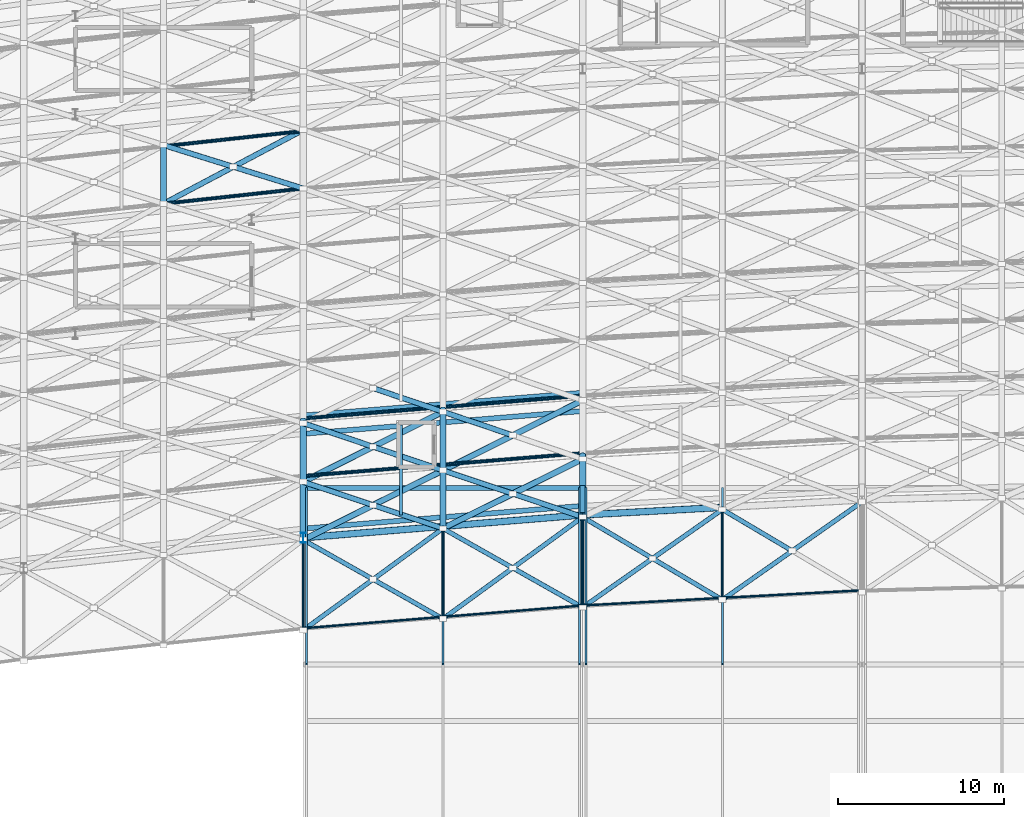
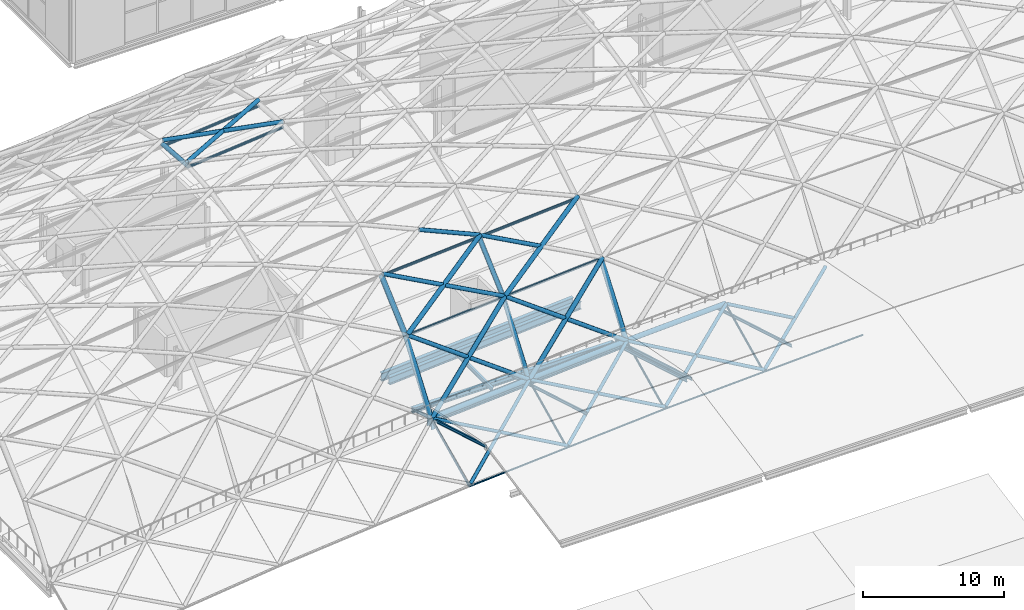
# One storey, part 14 of 100: 56 members, 5 beams.
"""IFC4 building model written with IfcOpenShell, lengths in metres."""

from ifc_helpers import new_model, si_unit, direction, frame, origin, origin_2d, place, context, subcontext, project, spatial, hollow_circle, i_section, extrude, material, material_profile, profile_set, type_object, element, save


model = new_model("IFC4")

# Units and contexts
model_context = context("Model", 3, precision=1e-05, world=origin(), true_north=direction((0.0, 1.0)))
body_context = subcontext(model_context, "Body", "Model", "MODEL_VIEW")
ifc_project = project(units=[si_unit("LENGTHUNIT", "METRE"), si_unit("AREAUNIT", "SQUARE_METRE"), si_unit("VOLUMEUNIT", "CUBIC_METRE"), si_unit("PLANEANGLEUNIT", "RADIAN"), si_unit("MASSUNIT", "GRAM", prefix="KILO")], contexts=[model_context])

# Site, building, storey
site_placement = place(None, origin())
site = spatial("IfcSite", under=ifc_project, at=site_placement, CompositionType="ELEMENT")
building_placement = place(site_placement, origin())
building = spatial("IfcBuilding", under=site, at=building_placement, Name="Kimbaza Rail Terminus", CompositionType="ELEMENT")
storey_placement = place(building_placement, frame((0.0, 0.0, 10.800048828125)))
storey = spatial("IfcBuildingStorey", under=building, at=storey_placement, Name="L02", CompositionType="ELEMENT", Elevation=10.800048828125)

# Beams
ifc_material_1 = material(Name="Steel S355", Category="steel")
ifc_material_profile_1 = material_profile(ifc_material_1, i_section(OverallWidth=0.300048828125, OverallDepth=0.43994140625, WebThickness=0.011474609375, FlangeThickness=0.02099609375, FilletRadius=0.027099609375, at=origin_2d()), Name="HEA 450")
ifc_profile_set_1 = profile_set([ifc_material_profile_1], Name="Steel S355")
beam_type_1 = type_object("IfcBeamType", Name="STR-BM-HEA450", PredefinedType="SPANDREL", material=ifc_profile_set_1)
beam_1_placement = place(storey_placement, frame((55.345947265625, 55.0, -1.179931640625), z_axis=(1.0, 0.0, 0.0), x_axis=(0.0, 1.0, 0.0)))
element("IfcBeam", 1, at=beam_1_placement, inside=storey, type_object=beam_type_1, Name="Beam BM-SKYEDGE-55-0", PredefinedType="SPANDREL", context=body_context, shape_type="SweptSolid", body=[
    extrude(i_section(OverallWidth=0.300048828125, OverallDepth=0.43994140625, WebThickness=0.011474609375, FlangeThickness=0.02099609375, FilletRadius=0.027099609375, at=origin_2d()), origin(), (0.0, 0.0, 1.0), 16.508056640625),
])
ifc_material_2 = material(Name="Steel S355", Category="steel")
ifc_material_profile_2 = material_profile(ifc_material_2, i_section(OverallWidth=0.300048828125, OverallDepth=0.64990234375, WebThickness=0.01611328125, FlangeThickness=0.031005859375, FilletRadius=0.027099609375, at=origin_2d()), Name="HEB 650")
ifc_profile_set_2 = profile_set([ifc_material_profile_2], Name="Steel S355")
beam_type_2 = type_object("IfcBeamType", Name="STR-BM-HEB650", PredefinedType="USERDEFINED", material=ifc_profile_set_2)
for number, where, z_axis, x_axis, name in (
    (2, (55.344482421875, 52.567138671875, -0.5849609375), (0.996689077675, 0.081307333267, 0.0), (-0.081307333267, 0.996689077675, 0.0), "Viaduct Chorded Girder P1 Bay 03"),
    (3, (55.344482421875, 58.26708984375, -0.5849609375), (0.996689077675, 0.081307333267, 0.0), (-0.081307333267, 0.996689077675, 0.0), "Viaduct Chorded Girder P1 Bay 03"),
):
    element("IfcBeam", number, at=place(storey_placement, frame(where, z_axis=z_axis, x_axis=x_axis)), inside=storey, type_object=beam_type_2, Name=name, ObjectType="GIRDER", PredefinedType="USERDEFINED", context=body_context, shape_type="SweptSolid", body=[
        extrude(i_section(OverallWidth=0.300048828125, OverallDepth=0.64990234375, WebThickness=0.01611328125, FlangeThickness=0.031005859375, FilletRadius=0.027099609375, at=origin_2d()), origin(), (0.0, 0.0, 1.0), 16.56591796875),
    ])
ifc_material_3 = material(Name="Steel S355", Category="steel")
ifc_material_profile_3 = material_profile(ifc_material_3, i_section(OverallWidth=0.300048828125, OverallDepth=0.699951171875, WebThickness=0.01708984375, FlangeThickness=0.031982421875, FilletRadius=0.027099609375, at=origin_2d()), Name="HEB 700")
ifc_profile_set_3 = profile_set([ifc_material_profile_3], Name="Steel S355")
beam_type_3 = type_object("IfcBeamType", Name="STR-BM-HEB700", PredefinedType="USERDEFINED", material=ifc_profile_set_3)
beam_2_placement = place(storey_placement, frame((55.344482421875, 59.3671875, -0.920166015625), z_axis=(0.996689077675, 0.081307333267, 0.0), x_axis=(-0.081307333267, 0.996689077675, 0.0)))
element("IfcBeam", 4, at=beam_2_placement, inside=storey, type_object=beam_type_3, Name="Viaduct Chorded Girder TR12 Bay 03", ObjectType="GIRDER", PredefinedType="USERDEFINED", context=body_context, shape_type="SweptSolid", body=[
    extrude(i_section(OverallWidth=0.300048828125, OverallDepth=0.699951171875, WebThickness=0.01708984375, FlangeThickness=0.031982421875, FilletRadius=0.027099609375, at=origin_2d()), origin(), (0.0, 0.0, 1.0), 16.56591796875),
])
ifc_material_4 = material(Name="Steel S355", Category="steel")
ifc_material_profile_4 = material_profile(ifc_material_4, i_section(OverallWidth=0.169921875, OverallDepth=0.360107421875, WebThickness=0.008056640625, FlangeThickness=0.0126953125, FilletRadius=0.01806640625, at=origin_2d()), Name="IPE 360")
ifc_profile_set_4 = profile_set([ifc_material_profile_4], Name="Steel S355")
beam_type_4 = type_object("IfcBeamType", Name="STR-BM-IPE360", PredefinedType="JOIST", material=ifc_profile_set_4)
beam_3_placement = place(storey_placement, frame((61.080078125, 53.385498046875, -0.43994140625), z_axis=(0.0, 1.0, 0.0), x_axis=(-1.0, 0.0, 0.0)))
element("IfcBeam", 5, at=beam_3_placement, inside=storey, type_object=beam_type_4, Name="Viaduct Diaphragm P1 Bay 03", PredefinedType="JOIST", context=body_context, shape_type="SweptSolid", body=[
    extrude(i_section(OverallWidth=0.169921875, OverallDepth=0.360107421875, WebThickness=0.008056640625, FlangeThickness=0.0126953125, FilletRadius=0.01806640625, at=origin_2d()), origin(), (0.0, 0.0, 1.0), 5.41015625),
])

# Members
ifc_material_5 = material(Name="White painted steel S355", Category="steel")
ifc_material_profile_5 = material_profile(ifc_material_5, hollow_circle(Radius=0.06982421875, WallThickness=0.00634765625, at=origin_2d()), Name="CHS 139.7x6.3")
ifc_profile_set_5 = profile_set([ifc_material_profile_5], Name="White painted steel S355")
member_type_1 = type_object("IfcMemberType", Name="STR-MB-CHS139", PredefinedType="COLLAR", material=ifc_profile_set_5)
member_1_placement = place(storey_placement, frame((55.199951171875, 46.563232421875, -2.62744140625), z_axis=(0.996688689454, 0.081312092054, 0.0), x_axis=(-0.081312092054, 0.996688689454, 0.0)))
element("IfcMember", 6, at=member_1_placement, inside=storey, type_object=member_type_1, Name="Vault lattice longitudinal purlin VR-04-VA00", PredefinedType="COLLAR", context=body_context, shape_type="SweptSolid", body=[
    extrude(hollow_circle(Radius=0.06982421875, WallThickness=0.00634765625, at=origin_2d()), origin(), (0.0, 0.0, 1.0), 8.427978515625),
])
member_2_placement = place(storey_placement, frame((63.60009765625, 47.24853515625, -2.62744140625), z_axis=(0.996690845265, 0.081285662728, 0.0), x_axis=(-0.081285662728, 0.996690845265, 0.0)))
element("IfcMember", 7, at=member_2_placement, inside=storey, type_object=member_type_1, Name="Vault lattice longitudinal purlin VR-05-VA00", PredefinedType="COLLAR", context=body_context, shape_type="SweptSolid", body=[
    extrude(hollow_circle(Radius=0.06982421875, WallThickness=0.00634765625, at=origin_2d()), origin(), (0.0, 0.0, 1.0), 8.427734375),
])
member_3_placement = place(storey_placement, frame((72.0, 47.93359375, -2.62744140625), z_axis=(0.998529393298, 0.054213012459, 0.0), x_axis=(-0.054213012459, 0.998529393298, 0.0)))
element("IfcMember", 8, at=member_3_placement, inside=storey, type_object=member_type_1, Name="Vault lattice longitudinal purlin VR-06-VA00", PredefinedType="COLLAR", context=body_context, shape_type="SweptSolid", body=[
    extrude(hollow_circle(Radius=0.06982421875, WallThickness=0.00634765625, at=origin_2d()), origin(), (0.0, 0.0, 1.0), 8.412353515625),
])
member_4_placement = place(storey_placement, frame((80.39990234375, 48.3896484375, -2.62744140625), z_axis=(0.998531049137, 0.054182505558, 0.0), x_axis=(-0.054182505558, 0.998531049137, 0.0)))
element("IfcMember", 9, at=member_4_placement, inside=storey, type_object=member_type_1, Name="Vault lattice longitudinal purlin VR-07-VA00", PredefinedType="COLLAR", context=body_context, shape_type="SweptSolid", body=[
    extrude(hollow_circle(Radius=0.06982421875, WallThickness=0.00634765625, at=origin_2d()), origin(), (0.0, 0.0, 1.0), 8.41259765625),
])
ifc_material_6 = material(Name="White painted steel S355", Category="steel")
ifc_material_profile_6 = material_profile(ifc_material_6, hollow_circle(Radius=0.084228515625, WallThickness=0.00634765625, at=origin_2d()), Name="CHS 168.3x6.3")
ifc_profile_set_6 = profile_set([ifc_material_profile_6], Name="White painted steel S355")
member_type_2 = type_object("IfcMemberType", Name="STR-MB-CHS168", PredefinedType="RAFTER", material=ifc_profile_set_6)
for number, where, z_axis, x_axis, name in (
    (10, (55.199951171875, 46.554931640625, -2.609375), (0.0, 0.901963905621, 0.431811432174), (-1.0, 0.0, 0.0), "Vault lattice arch chord VR-04 seg 1"),
    (11, (63.60009765625, 47.240234375, -2.609375), (0.0, 0.901963905621, 0.431811432174), (-1.0, 0.0, 0.0), "Vault lattice arch chord VR-05 seg 1"),
    (12, (72.0, 47.92529296875, -2.609375), (0.0, 0.901963905621, 0.431811432174), (-1.0, 0.0, 0.0), "Vault lattice arch chord VR-06 seg 1"),
    (13, (80.39990234375, 48.38134765625, -2.609375), (0.0, 0.901963905621, 0.431811432174), (-1.0, 0.0, 0.0), "Vault lattice arch chord VR-07 seg 1"),
):
    element("IfcMember", number, at=place(storey_placement, frame(where, z_axis=z_axis, x_axis=x_axis)), inside=storey, type_object=member_type_2, Name=name, PredefinedType="RAFTER", context=body_context, shape_type="SweptSolid", body=[
        extrude(hollow_circle(Radius=0.084228515625, WallThickness=0.00634765625, at=origin_2d()), origin(), (0.0, 0.0, 1.0), 6.04296875),
    ])
ifc_material_7 = material(Name="White painted steel S355", Category="steel")
ifc_material_profile_7 = material_profile(ifc_material_7, hollow_circle(Radius=0.109619140625, WallThickness=0.008056640625, at=origin_2d()), Name="CHS 219.1x8")
ifc_profile_set_7 = profile_set([ifc_material_profile_7], Name="White painted steel S355")
member_type_3 = type_object("IfcMemberType", Name="STR-MB-CHS219", PredefinedType="PURLIN", material=ifc_profile_set_7)
for number, where, z_axis, x_axis, name in (
    (14, (46.800048828125, 72.089599609375, 12.510009765625), (0.99410959352, 0.108379500241, 0.0), (-0.108379500241, 0.99410959352, 0.0), "Vault lattice longitudinal purlin VR-03-VA07"),
    (15, (46.800048828125, 75.546630859375, 12.25244140625), (0.99410959352, 0.108379500241, 0.0), (-0.108379500241, 0.99410959352, 0.0), "Vault lattice longitudinal purlin VR-03-VA08"),
):
    element("IfcMember", number, at=place(storey_placement, frame(where, z_axis=z_axis, x_axis=x_axis)), inside=storey, type_object=member_type_3, Name=name, PredefinedType="PURLIN", context=body_context, shape_type="SweptSolid", body=[
        extrude(hollow_circle(Radius=0.109619140625, WallThickness=0.008056640625, at=origin_2d()), origin(), (0.0, 0.0, 1.0), 8.44970703125),
    ])
for number, where, z_axis, x_axis, name in (
    (16, (55.199951171875, 55.72021484375, 4.85205078125), (0.996688689454, 0.081312092054, 0.0), (-0.081312092054, 0.996688689454, 0.0), "Vault lattice longitudinal purlin VR-04-VA02"),
    (17, (55.199951171875, 59.17724609375, 7.9716796875), (0.996688689454, 0.081312092054, 0.0), (-0.081312092054, 0.996688689454, 0.0), "Vault lattice longitudinal purlin VR-04-VA03"),
):
    element("IfcMember", number, at=place(storey_placement, frame(where, z_axis=z_axis, x_axis=x_axis)), inside=storey, type_object=member_type_3, Name=name, PredefinedType="PURLIN", context=body_context, shape_type="SweptSolid", body=[
        extrude(hollow_circle(Radius=0.109619140625, WallThickness=0.008056640625, at=origin_2d()), origin(), (0.0, 0.0, 1.0), 8.427978515625),
    ])
for number, where, z_axis, x_axis, name in (
    (18, (63.60009765625, 56.405517578125, 4.85205078125), (0.996690845265, 0.081285662728, 0.0), (-0.081285662728, 0.996690845265, 0.0), "Vault lattice longitudinal purlin VR-05-VA02"),
    (19, (63.60009765625, 59.862548828125, 7.9716796875), (0.996690845265, 0.081285662728, 0.0), (-0.081285662728, 0.996690845265, 0.0), "Vault lattice longitudinal purlin VR-05-VA03"),
):
    element("IfcMember", number, at=place(storey_placement, frame(where, z_axis=z_axis, x_axis=x_axis)), inside=storey, type_object=member_type_3, Name=name, PredefinedType="PURLIN", context=body_context, shape_type="SweptSolid", body=[
        extrude(hollow_circle(Radius=0.109619140625, WallThickness=0.008056640625, at=origin_2d()), origin(), (0.0, 0.0, 1.0), 8.427734375),
    ])
ifc_material_8 = material(Name="White painted steel S355", Category="steel")
ifc_material_profile_8 = material_profile(ifc_material_8, hollow_circle(Radius=0.136474609375, WallThickness=0.010009765625, at=origin_2d()), Name="CHS 273x10")
ifc_profile_set_8 = profile_set([ifc_material_profile_8], Name="White painted steel S355")
member_type_4 = type_object("IfcMemberType", Name="STR-MB-CHS273", PredefinedType="STRUT", material=ifc_profile_set_8)
member_5_placement = place(storey_placement, frame((55.199951171875, 46.447509765625, -2.37255859375), z_axis=(0.786959124757, 0.573219681596, 0.228286076211), x_axis=(-0.588766594672, 0.808303097234, 0.0)))
element("IfcMember", 20, at=member_5_placement, inside=storey, type_object=member_type_4, Name="Vault lattice diagonal A VR-04-VA00", PredefinedType="STRUT", context=body_context, shape_type="SweptSolid", body=[
    extrude(hollow_circle(Radius=0.136474609375, WallThickness=0.010009765625, at=origin_2d()), origin(), (0.0, 0.0, 1.0), 10.674072265625),
])
for number, where, z_axis, x_axis, name in (
    (21, (63.60009765625, 47.1328125, -2.37255859375), (-0.844070013409, 0.477083051057, 0.244821516328), (-0.492057256668, -0.87056283872, 0.0), "Vault lattice diagonal B1 VR-04-VA00"),
    (22, (59.39990234375, 49.5068359375, -1.154296875), (-0.844026006816, 0.477134971591, 0.244872045574), (-0.492117283505, -0.870528907777, 0.0), "Vault lattice diagonal B2 VR-04-VA00"),
):
    element("IfcMember", number, at=place(storey_placement, frame(where, z_axis=z_axis, x_axis=x_axis)), inside=storey, type_object=member_type_4, Name=name, PredefinedType="STRUT", context=body_context, shape_type="SweptSolid", body=[
        extrude(hollow_circle(Radius=0.136474609375, WallThickness=0.010009765625, at=origin_2d()), origin(), (0.0, 0.0, 1.0), 4.97607421875),
    ])
member_6_placement = place(storey_placement, frame((63.60009765625, 47.1328125, -2.37255859375), z_axis=(0.786960735087, 0.573214642272, 0.228293178425), x_axis=(-0.588762425753, 0.808306133851, 0.0)))
element("IfcMember", 23, at=member_6_placement, inside=storey, type_object=member_type_4, Name="Vault lattice diagonal A VR-05-VA00", PredefinedType="STRUT", context=body_context, shape_type="SweptSolid", body=[
    extrude(hollow_circle(Radius=0.136474609375, WallThickness=0.010009765625, at=origin_2d()), origin(), (0.0, 0.0, 1.0), 10.673828125),
])
for number, where, z_axis, x_axis, name in (
    (24, (72.0, 47.81787109375, -2.37255859375), (-0.844036146186, 0.477140703462, 0.244825923936), (-0.492117283505, -0.870528907777, 0.0), "Vault lattice diagonal B1 VR-05-VA00"),
    (25, (67.800048828125, 50.192138671875, -1.154296875), (-0.844045764754, 0.477097077049, 0.244877777823), (-0.492078933835, -0.870550586052, 0.0), "Vault lattice diagonal B2 VR-05-VA00"),
):
    element("IfcMember", number, at=place(storey_placement, frame(where, z_axis=z_axis, x_axis=x_axis)), inside=storey, type_object=member_type_4, Name=name, PredefinedType="STRUT", context=body_context, shape_type="SweptSolid", body=[
        extrude(hollow_circle(Radius=0.136474609375, WallThickness=0.010009765625, at=origin_2d()), origin(), (0.0, 0.0, 1.0), 4.97607421875),
    ])
member_7_placement = place(storey_placement, frame((72.0, 47.81787109375, -2.37255859375), z_axis=(0.796633205743, 0.558541615478, 0.231099111391), x_axis=(-0.574081889552, 0.818797889646, 0.0)))
element("IfcMember", 26, at=member_7_placement, inside=storey, type_object=member_type_4, Name="Vault lattice diagonal A VR-06-VA00", PredefinedType="STRUT", context=body_context, shape_type="SweptSolid", body=[
    extrude(hollow_circle(Radius=0.136474609375, WallThickness=0.010009765625, at=origin_2d()), origin(), (0.0, 0.0, 1.0), 10.544189453125),
])
member_8_placement = place(storey_placement, frame((80.39990234375, 48.27392578125, -2.37255859375), z_axis=(-0.834702857334, 0.494620759615, 0.2421186571), x_axis=(-0.509788682269, -0.860299656765, 0.0)))
element("IfcMember", 27, at=member_8_placement, inside=storey, type_object=member_type_4, Name="Vault lattice diagonal B1 VR-06-VA00", PredefinedType="STRUT", context=body_context, shape_type="SweptSolid", body=[
    extrude(hollow_circle(Radius=0.136474609375, WallThickness=0.010009765625, at=origin_2d()), origin(), (0.0, 0.0, 1.0), 5.03173828125),
])
member_9_placement = place(storey_placement, frame((76.199951171875, 50.7626953125, -1.154296875), z_axis=(-0.834713082, 0.494578297089, 0.242170144292), x_axis=(-0.50975166864, -0.860321588895, 0.0)))
element("IfcMember", 28, at=member_9_placement, inside=storey, type_object=member_type_4, Name="Vault lattice diagonal B2 VR-06-VA00", PredefinedType="STRUT", context=body_context, shape_type="SweptSolid", body=[
    extrude(hollow_circle(Radius=0.136474609375, WallThickness=0.010009765625, at=origin_2d()), origin(), (0.0, 0.0, 1.0), 5.031494140625),
])
member_10_placement = place(storey_placement, frame((80.39990234375, 48.27392578125, -2.37255859375), z_axis=(0.796641665379, 0.55853131322, 0.231094848785), x_axis=(-0.574070703246, 0.818805732561, 0.0)))
element("IfcMember", 29, at=member_10_placement, inside=storey, type_object=member_type_4, Name="Vault lattice diagonal A VR-07-VA00", PredefinedType="STRUT", context=body_context, shape_type="SweptSolid", body=[
    extrude(hollow_circle(Radius=0.136474609375, WallThickness=0.010009765625, at=origin_2d()), origin(), (0.0, 0.0, 1.0), 10.54443359375),
])
member_11_placement = place(storey_placement, frame((84.60009765625, 51.218505859375, -1.154296875), z_axis=(-0.834707765293, 0.494594917426, 0.242154525493), x_axis=(-0.50976675068, -0.860312652413, 0.0)))
element("IfcMember", 30, at=member_11_placement, inside=storey, type_object=member_type_4, Name="Vault lattice diagonal B2 VR-07-VA00", PredefinedType="STRUT", context=body_context, shape_type="SweptSolid", body=[
    extrude(hollow_circle(Radius=0.136474609375, WallThickness=0.010009765625, at=origin_2d()), origin(), (0.0, 0.0, 1.0), 5.031982421875),
])
ifc_material_9 = material(Name="White painted steel S355", Category="steel")
ifc_material_profile_9 = material_profile(ifc_material_9, hollow_circle(Radius=0.161865234375, WallThickness=0.010009765625, at=origin_2d()), Name="CHS 323.9x10")
ifc_profile_set_9 = profile_set([ifc_material_profile_9], Name="White painted steel S355")
member_type_5 = type_object("IfcMemberType", Name="STR-MB-CHS323", PredefinedType="STRUT", material=ifc_profile_set_9)
member_12_placement = place(storey_placement, frame((46.800048828125, 72.089599609375, 12.97998046875), z_axis=(0.883651460207, 0.467329011507, -0.02763497562), x_axis=(-0.467507561467, 0.883989072314, 0.0)))
element("IfcMember", 31, at=member_12_placement, inside=storey, type_object=member_type_5, Name="Vault lattice diagonal A VR-03-VA07", PredefinedType="STRUT", context=body_context, shape_type="SweptSolid", body=[
    extrude(hollow_circle(Radius=0.161865234375, WallThickness=0.010009765625, at=origin_2d()), origin(), (0.0, 0.0, 1.0), 9.505859375),
])
for number, where, z_axis, x_axis, name in (
    (32, (55.199951171875, 73.00537109375, 12.97998046875), (-0.954510612477, 0.296678965582, -0.029850997472), (-0.296811236638, -0.95493617054, 0.0), "Vault lattice diagonal B1 VR-03-VA07"),
    (33, (51.0, 74.310791015625, 12.8486328125), (-0.954510612477, 0.296678965582, -0.029850997472), (-0.296811236638, -0.95493617054, 0.0), "Vault lattice diagonal B2 VR-03-VA07"),
):
    element("IfcMember", number, at=place(storey_placement, frame(where, z_axis=z_axis, x_axis=x_axis)), inside=storey, type_object=member_type_5, Name=name, PredefinedType="STRUT", context=body_context, shape_type="SweptSolid", body=[
        extrude(hollow_circle(Radius=0.161865234375, WallThickness=0.010009765625, at=origin_2d()), origin(), (0.0, 0.0, 1.0), 4.400146484375),
    ])
member_13_placement = place(storey_placement, frame((63.60009765625, 52.566162109375, 0.064208984375), z_axis=(-0.821804484211, 0.27452396947, 0.499273452045), x_axis=(-0.316839657803, -0.948479114816, 0.0)))
element("IfcMember", 34, at=member_13_placement, inside=storey, type_object=member_type_5, Name="Vault lattice diagonal B1 VR-04-VA01", PredefinedType="STRUT", context=body_context, shape_type="SweptSolid", body=[
    extrude(hollow_circle(Radius=0.161865234375, WallThickness=0.010009765625, at=origin_2d()), origin(), (0.0, 0.0, 1.0), 5.11083984375),
])
member_14_placement = place(storey_placement, frame((59.39990234375, 53.96923828125, 2.615966796875), z_axis=(-0.821799752615, 0.274490575977, 0.499299599741), x_axis=(-0.316806626312, -0.948490148354, 0.0)))
element("IfcMember", 35, at=member_14_placement, inside=storey, type_object=member_type_5, Name="Vault lattice diagonal B2 VR-04-VA01", PredefinedType="STRUT", context=body_context, shape_type="SweptSolid", body=[
    extrude(hollow_circle(Radius=0.161865234375, WallThickness=0.010009765625, at=origin_2d()), origin(), (0.0, 0.0, 1.0), 5.110595703125),
])
member_15_placement = place(storey_placement, frame((63.60009765625, 56.057373046875, 5.167724609375), z_axis=(-0.891599211266, 0.301570321458, 0.337796074113), x_axis=(-0.320403878643, -0.947281032509, 0.0)))
element("IfcMember", 36, at=member_15_placement, inside=storey, type_object=member_type_5, Name="Vault lattice diagonal B1 VR-04-VA02", PredefinedType="STRUT", context=body_context, shape_type="SweptSolid", body=[
    extrude(hollow_circle(Radius=0.161865234375, WallThickness=0.010009765625, at=origin_2d()), origin(), (0.0, 0.0, 1.0), 4.7109375),
])
member_16_placement = place(storey_placement, frame((59.39990234375, 57.47802734375, 6.759033203125), z_axis=(-0.891588583746, 0.301584256747, 0.337811683361), x_axis=(-0.320420591372, -0.94727537951, 0.0)))
element("IfcMember", 37, at=member_16_placement, inside=storey, type_object=member_type_5, Name="Vault lattice diagonal B2 VR-04-VA02", PredefinedType="STRUT", context=body_context, shape_type="SweptSolid", body=[
    extrude(hollow_circle(Radius=0.161865234375, WallThickness=0.010009765625, at=origin_2d()), origin(), (0.0, 0.0, 1.0), 4.710693359375),
])
member_17_placement = place(storey_placement, frame((63.60009765625, 59.583984375, 8.350341796875), z_axis=(-0.920624183337, 0.311387591423, 0.235560779763), x_axis=(-0.320403878643, -0.947281032509, 0.0)))
element("IfcMember", 38, at=member_17_placement, inside=storey, type_object=member_type_5, Name="Vault lattice diagonal B1 VR-04-VA03", PredefinedType="STRUT", context=body_context, shape_type="SweptSolid", body=[
    extrude(hollow_circle(Radius=0.161865234375, WallThickness=0.010009765625, at=origin_2d()), origin(), (0.0, 0.0, 1.0), 4.562255859375),
])
for number, where, z_axis, x_axis, name in (
    (39, (72.0, 53.251220703125, 0.064208984375), (-0.821788975947, 0.274534746542, 0.499293052177), (-0.316856226452, -0.948473579895, 0.0), "Vault lattice diagonal B1 VR-05-VA01"),
    (40, (67.800048828125, 54.654296875, 2.615966796875), (-0.821788975947, 0.274534746542, 0.499293052177), (-0.316856226452, -0.948473579895, 0.0), "Vault lattice diagonal B2 VR-05-VA01"),
):
    element("IfcMember", number, at=place(storey_placement, frame(where, z_axis=z_axis, x_axis=x_axis)), inside=storey, type_object=member_type_5, Name=name, PredefinedType="STRUT", context=body_context, shape_type="SweptSolid", body=[
        extrude(hollow_circle(Radius=0.161865234375, WallThickness=0.010009765625, at=origin_2d()), origin(), (0.0, 0.0, 1.0), 5.11083984375),
    ])
member_18_placement = place(storey_placement, frame((67.800048828125, 58.163330078125, 6.759033203125), z_axis=(-0.891588583746, 0.301584256747, 0.337811683361), x_axis=(-0.320420591372, -0.94727537951, 0.0)))
element("IfcMember", 41, at=member_18_placement, inside=storey, type_object=member_type_5, Name="Vault lattice diagonal B2 VR-05-VA02", PredefinedType="STRUT", context=body_context, shape_type="SweptSolid", body=[
    extrude(hollow_circle(Radius=0.161865234375, WallThickness=0.010009765625, at=origin_2d()), origin(), (0.0, 0.0, 1.0), 4.710693359375),
])
ifc_material_10 = material(Name="White painted steel S355", Category="steel")
ifc_material_profile_10 = material_profile(ifc_material_10, hollow_circle(Radius=0.177734375, WallThickness=0.012451171875, at=origin_2d()), Name="CHS 355.6x12.5")
ifc_profile_set_10 = profile_set([ifc_material_profile_10], Name="White painted steel S355")
member_type_6 = type_object("IfcMemberType", Name="STR-MB-CHS355", PredefinedType="CHORD", material=ifc_profile_set_10)
member_19_placement = place(storey_placement, frame((46.800048828125, 72.089599609375, 12.679931640625), z_axis=(0.0, 0.997239447362, -0.074252842537), x_axis=(-1.0, 0.0, 0.0)))
element("IfcMember", 42, at=member_19_placement, inside=storey, type_object=member_type_6, Name="Vault lattice arch chord VR-03 seg 8", PredefinedType="CHORD", context=body_context, shape_type="SweptSolid", body=[
    extrude(hollow_circle(Radius=0.177734375, WallThickness=0.012451171875, at=origin_2d()), origin(), (0.0, 0.0, 1.0), 3.49169921875),
])
member_20_placement = place(storey_placement, frame((63.60009765625, 52.690673828125, 0.0), z_axis=(0.0, 0.585733481953, 0.810503724926), x_axis=(-1.0, 0.0, 0.0)))
element("IfcMember", 43, at=member_20_placement, inside=storey, type_object=member_type_6, Name="Vault lattice arch chord VR-05 seg 2", PredefinedType="CHORD", context=body_context, shape_type="SweptSolid", body=[
    extrude(hollow_circle(Radius=0.177734375, WallThickness=0.012451171875, at=origin_2d()), origin(), (0.0, 0.0, 1.0), 6.127197265625),
])
member_21_placement = place(storey_placement, frame((63.60009765625, 56.279541015625, 4.966064453125), z_axis=(0.0, 0.742379857618, 0.669979213859), x_axis=(-1.0, 0.0, 0.0)))
element("IfcMember", 44, at=member_21_placement, inside=storey, type_object=member_type_6, Name="Vault lattice arch chord VR-05 seg 3", PredefinedType="CHORD", context=body_context, shape_type="SweptSolid", body=[
    extrude(hollow_circle(Radius=0.177734375, WallThickness=0.012451171875, at=origin_2d()), origin(), (0.0, 0.0, 1.0), 4.690673828125),
])
member_22_placement = place(storey_placement, frame((55.199951171875, 51.881103515625, 0.064208984375), z_axis=(0.786574843669, 0.391058484489, 0.477884166945), x_axis=(-0.445182498983, 0.895439859845, 0.0)))
element("IfcMember", 45, at=member_22_placement, inside=storey, type_object=member_type_6, Name="Vault lattice diagonal A VR-04-VA01", PredefinedType="CHORD", context=body_context, shape_type="SweptSolid", body=[
    extrude(hollow_circle(Radius=0.177734375, WallThickness=0.012451171875, at=origin_2d()), origin(), (0.0, 0.0, 1.0), 10.679443359375),
])
member_23_placement = place(storey_placement, frame((55.199951171875, 55.3720703125, 5.167724609375), z_axis=(0.846679984861, 0.424533469899, 0.320787057362), x_axis=(-0.448221367873, 0.893922594737, 0.0)))
element("IfcMember", 46, at=member_23_placement, inside=storey, type_object=member_type_6, Name="Vault lattice diagonal A VR-04-VA02", PredefinedType="CHORD", context=body_context, shape_type="SweptSolid", body=[
    extrude(hollow_circle(Radius=0.177734375, WallThickness=0.012451171875, at=origin_2d()), origin(), (0.0, 0.0, 1.0), 9.92138671875),
])
member_24_placement = place(storey_placement, frame((63.60009765625, 52.566162109375, 0.064208984375), z_axis=(0.786566126574, 0.391065516514, 0.477892760272), x_axis=(-0.445192873622, 0.895434701849, 0.0)))
element("IfcMember", 47, at=member_24_placement, inside=storey, type_object=member_type_6, Name="Vault lattice diagonal A VR-05-VA01", PredefinedType="CHORD", context=body_context, shape_type="SweptSolid", body=[
    extrude(hollow_circle(Radius=0.177734375, WallThickness=0.012451171875, at=origin_2d()), origin(), (0.0, 0.0, 1.0), 10.67919921875),
])
member_25_placement = place(storey_placement, frame((63.60009765625, 56.057373046875, 5.167724609375), z_axis=(0.846681862666, 0.42452214186, 0.320797092417), x_axis=(-0.448211016135, 0.893927785123, 0.0)))
element("IfcMember", 48, at=member_25_placement, inside=storey, type_object=member_type_6, Name="Vault lattice diagonal A VR-05-VA02", PredefinedType="CHORD", context=body_context, shape_type="SweptSolid", body=[
    extrude(hollow_circle(Radius=0.177734375, WallThickness=0.012451171875, at=origin_2d()), origin(), (0.0, 0.0, 1.0), 9.9208984375),
])
ifc_material_11 = material(Name="White painted steel S355", Category="steel")
ifc_material_profile_11 = material_profile(ifc_material_11, hollow_circle(Radius=0.203125, WallThickness=0.01416015625, at=origin_2d()), Name="CHS 406.4x14.2")
ifc_profile_set_11 = profile_set([ifc_material_profile_11], Name="White painted steel S355")
member_type_7 = type_object("IfcMemberType", Name="STR-MB-CHS406", PredefinedType="CHORD", material=ifc_profile_set_11)
member_26_placement = place(storey_placement, frame((55.199951171875, 52.00537109375, 0.0), z_axis=(0.0, 0.585733481953, 0.810503724926), x_axis=(-1.0, 0.0, 0.0)))
element("IfcMember", 49, at=member_26_placement, inside=storey, type_object=member_type_7, Name="Vault lattice arch chord VR-04 seg 2", PredefinedType="CHORD", context=body_context, shape_type="SweptSolid", body=[
    extrude(hollow_circle(Radius=0.203125, WallThickness=0.01416015625, at=origin_2d()), origin(), (0.0, 0.0, 1.0), 6.127197265625),
])
member_27_placement = place(storey_placement, frame((55.199951171875, 55.59423828125, 4.966064453125), z_axis=(0.0, 0.742403219767, 0.669953326195), x_axis=(-1.0, 0.0, 0.0)))
element("IfcMember", 50, at=member_27_placement, inside=storey, type_object=member_type_7, Name="Vault lattice arch chord VR-04 seg 3", PredefinedType="CHORD", context=body_context, shape_type="SweptSolid", body=[
    extrude(hollow_circle(Radius=0.203125, WallThickness=0.01416015625, at=origin_2d()), origin(), (0.0, 0.0, 1.0), 4.690673828125),
])
member_28_placement = place(storey_placement, frame((72.0, 53.375732421875, 0.0), z_axis=(0.0, 0.585733481953, 0.810503724926), x_axis=(-1.0, 0.0, 0.0)))
element("IfcMember", 51, at=member_28_placement, inside=storey, type_object=member_type_7, Name="Vault lattice arch chord VR-06 seg 2", PredefinedType="CHORD", context=body_context, shape_type="SweptSolid", body=[
    extrude(hollow_circle(Radius=0.203125, WallThickness=0.01416015625, at=origin_2d()), origin(), (0.0, 0.0, 1.0), 6.127197265625),
])
member_29_placement = place(storey_placement, frame((55.199951171875, 52.00537109375, 0.0), z_axis=(0.996688689454, 0.081312092054, 0.0), x_axis=(-0.081312092054, 0.996688689454, 0.0)))
element("IfcMember", 52, at=member_29_placement, inside=storey, type_object=member_type_7, Name="Vault lattice springing ring chord VR-04", PredefinedType="CHORD", context=body_context, shape_type="SweptSolid", body=[
    extrude(hollow_circle(Radius=0.203125, WallThickness=0.01416015625, at=origin_2d()), origin(), (0.0, 0.0, 1.0), 8.427978515625),
])
member_30_placement = place(storey_placement, frame((63.60009765625, 52.690673828125, 0.0), z_axis=(0.996690845265, 0.081285662728, 0.0), x_axis=(-0.081285662728, 0.996690845265, 0.0)))
element("IfcMember", 53, at=member_30_placement, inside=storey, type_object=member_type_7, Name="Vault lattice springing ring chord VR-05", PredefinedType="CHORD", context=body_context, shape_type="SweptSolid", body=[
    extrude(hollow_circle(Radius=0.203125, WallThickness=0.01416015625, at=origin_2d()), origin(), (0.0, 0.0, 1.0), 8.427734375),
])
member_31_placement = place(storey_placement, frame((72.0, 53.375732421875, 0.0), z_axis=(0.998529393298, 0.054213012459, 0.0), x_axis=(-0.054213012459, 0.998529393298, 0.0)))
element("IfcMember", 54, at=member_31_placement, inside=storey, type_object=member_type_7, Name="Vault lattice springing ring chord VR-06", PredefinedType="CHORD", context=body_context, shape_type="SweptSolid", body=[
    extrude(hollow_circle(Radius=0.203125, WallThickness=0.01416015625, at=origin_2d()), origin(), (0.0, 0.0, 1.0), 8.412353515625),
])
ifc_material_12 = material(Name="Steel S355", Category="steel")
ifc_material_profile_12 = material_profile(ifc_material_12, i_section(OverallWidth=0.304931640625, OverallDepth=0.6201171875, WebThickness=0.02099609375, FlangeThickness=0.0400390625, FilletRadius=0.027099609375, at=origin_2d()), Name="HEM 600")
ifc_profile_set_12 = profile_set([ifc_material_profile_12], Name="Steel S355")
member_type_8 = type_object("IfcMemberType", Name="STR-MB-HEM600", PredefinedType="POST", material=ifc_profile_set_12)
member_32_placement = place(storey_placement, frame((55.199951171875, 52.00537109375, -0.800048828125), z_axis=(0.0, 0.0, 1.0), x_axis=(1.0, 0.0, 0.0)))
element("IfcMember", 55, at=member_32_placement, inside=storey, type_object=member_type_8, Name="Vault Springing Shoe Pedestal S VP-03", PredefinedType="POST", context=body_context, shape_type="SweptSolid", body=[
    extrude(i_section(OverallWidth=0.304931640625, OverallDepth=0.6201171875, WebThickness=0.02099609375, FlangeThickness=0.0400390625, FilletRadius=0.027099609375, at=origin_2d()), origin(), (0.0, 0.0, 1.0), 0.800048828125),
])
member_33_placement = place(storey_placement, frame((72.0, 55.0, -0.900146484375), z_axis=(0.0, -0.87466531027, 0.484727340894), x_axis=(1.0, 0.0, 0.0)))
element("IfcMember", 56, at=member_33_placement, inside=storey, type_object=member_type_8, Name="Vault Springing Shoe Pedestal S VP-04", PredefinedType="POST", context=body_context, shape_type="SweptSolid", body=[
    extrude(i_section(OverallWidth=0.304931640625, OverallDepth=0.6201171875, WebThickness=0.02099609375, FlangeThickness=0.0400390625, FilletRadius=0.027099609375, at=origin_2d()), origin(), (0.0, 0.0, 1.0), 1.85693359375),
])
ifc_material_13 = material(Name="Steel S355", Category="steel")
ifc_material_profile_13 = material_profile(ifc_material_13, i_section(OverallWidth=0.1201171875, OverallDepth=0.239990234375, WebThickness=0.006103515625, FlangeThickness=0.009765625, FilletRadius=0.014892578125, at=origin_2d()), Name="IPE 240")
ifc_profile_set_13 = profile_set([ifc_material_profile_13], Name="Steel S355")
member_type_9 = type_object("IfcMemberType", Name="STR-MB-IPE240", PredefinedType="PURLIN", material=ifc_profile_set_13)
for number, where, z_axis, x_axis, name in (
    (57, (55.39990234375, 44.39990234375, 2.050048828125), (0.0, 0.959059986523, -0.283203005371), (-1.0, 0.0, 0.0), "Concourse Roof Rafter N1"),
    (58, (63.60009765625, 44.39990234375, 2.050048828125), (0.0, 0.959059986523, -0.283203005371), (-1.0, 0.0, 0.0), "Concourse Roof Rafter N1"),
    (59, (71.800048828125, 44.39990234375, 2.050048828125), (0.0, 0.959059986523, -0.283203005371), (-1.0, 0.0, 0.0), "Concourse Roof Rafter N1"),
    (60, (72.199951171875, 44.39990234375, 2.050048828125), (0.0, 0.959059986523, -0.283203005371), (-1.0, 0.0, 0.0), "Concourse Roof Rafter N2"),
    (61, (80.39990234375, 44.39990234375, 2.050048828125), (0.0, 0.959059986523, -0.283203005371), (-1.0, 0.0, 0.0), "Concourse Roof Rafter N2"),
):
    element("IfcMember", number, at=place(storey_placement, frame(where, z_axis=z_axis, x_axis=x_axis)), inside=storey, type_object=member_type_9, Name=name, PredefinedType="PURLIN", context=body_context, shape_type="SweptSolid", body=[
        extrude(i_section(OverallWidth=0.1201171875, OverallDepth=0.239990234375, WebThickness=0.006103515625, FlangeThickness=0.009765625, FilletRadius=0.014892578125, at=origin_2d()), origin(), (0.0, 0.0, 1.0), 11.052490234375),
    ])

save(model, "model.ifc")
